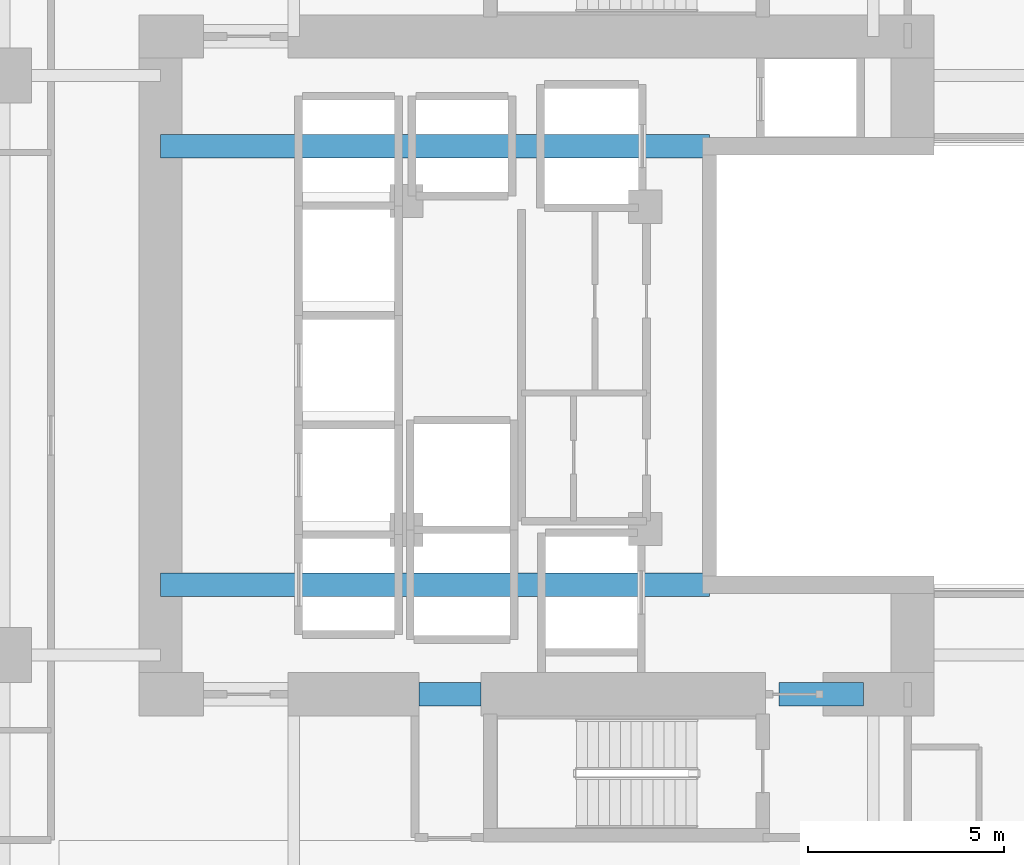
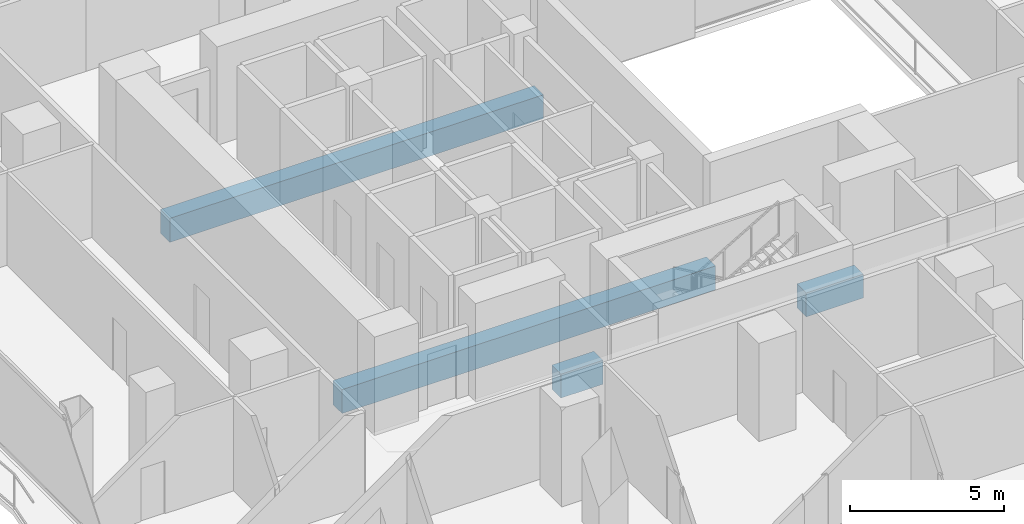
# One storey, part 7 of 27: 4 beams.
"""IFC4 building model written with IfcOpenShell, lengths in metres."""

from ifc_helpers import new_model, si_unit, direction, frame, origin, origin_2d, place, context, subcontext, project, spatial, rectangle, extrude, material, material_profile, profile_set, type_object, element, save


model = new_model("IFC4")

# Units and contexts
model_context = context("Model", 3, precision=1e-05, world=origin(), true_north=direction((0.0, 1.0)))
body_context = subcontext(model_context, "Body", "Model", "MODEL_VIEW")
ifc_project = project(units=[si_unit("LENGTHUNIT", "METRE"), si_unit("AREAUNIT", "SQUARE_METRE"), si_unit("VOLUMEUNIT", "CUBIC_METRE"), si_unit("PLANEANGLEUNIT", "RADIAN"), si_unit("MASSUNIT", "GRAM", prefix="KILO")], contexts=[model_context])

# Site, building, storey
site_placement = place(None, origin())
site = spatial("IfcSite", under=ifc_project, at=site_placement, CompositionType="ELEMENT")
building_placement = place(site_placement, origin())
building = spatial("IfcBuilding", under=site, at=building_placement, Name="Khorvyn Point Tower", CompositionType="ELEMENT")
storey_placement = place(building_placement, frame((0.0, 0.0, 46.199951171875)))
storey = spatial("IfcBuildingStorey", under=building, at=storey_placement, Name="L12", CompositionType="ELEMENT", Elevation=46.199951171875)

# Beams
ifc_material = material(Name="Concrete C50/60", Category="concrete")
ifc_material_profile = material_profile(ifc_material, rectangle(XDim=0.60009765625, YDim=0.949951171875, at=origin_2d()))
ifc_profile_set = profile_set([ifc_material_profile], Name="Concrete C50/60 RC600x950")
beam_type = type_object("IfcBeamType", Name="Concrete C50/60 Beam RC600x950", PredefinedType="BEAM", material=ifc_profile_set)
for number, where, z_axis, x_axis, name in (
    (1, (-10.800048828125, -5.60009765625, -0.695068359375), (1.0, 0.0, 0.0), (0.0, 1.0, 0.0), "L12 Core Internal Tie Girder S"),
    (2, (-10.800048828125, 5.60009765625, -0.695068359375), (1.0, 0.0, 0.0), (0.0, 1.0, 0.0), "L12 Core Internal Tie Girder N"),
):
    element("IfcBeam", number, at=place(storey_placement, frame(where, z_axis=z_axis, x_axis=x_axis)), inside=storey, type_object=beam_type, Name=name, PredefinedType="BEAM", context=body_context, shape_type="SweptSolid", body=[
        extrude(rectangle(XDim=0.60009765625, YDim=0.949951171875, at=origin_2d()), origin(), (0.0, 0.0, 1.0), 14.02001953125),
    ])
beam_1_placement = place(storey_placement, frame((-4.199951171875, -8.39990234375, -0.695068359375), z_axis=(1.0, 0.0, 0.0), x_axis=(0.0, 1.0, 0.0)))
element("IfcBeam", 3, at=beam_1_placement, inside=storey, type_object=beam_type, Name="L12 Core Shuttle Portal Coupling Beam", PredefinedType="BEAM", context=body_context, shape_type="SweptSolid", body=[
    extrude(rectangle(XDim=0.60009765625, YDim=0.949951171875, at=origin_2d()), origin(), (0.0, 0.0, 1.0), 1.579833984375),
])
beam_2_placement = place(storey_placement, frame((5.0, -8.39990234375, -0.695068359375), z_axis=(1.0, 0.0, 0.0), x_axis=(0.0, 1.0, 0.0)))
element("IfcBeam", 4, at=beam_2_placement, inside=storey, type_object=beam_type, Name="L12 Core Southeast Portal Coupling Beam", PredefinedType="BEAM", context=body_context, shape_type="SweptSolid", body=[
    extrude(rectangle(XDim=0.60009765625, YDim=0.949951171875, at=origin_2d()), origin(), (0.0, 0.0, 1.0), 2.14990234375),
])

save(model, "model.ifc")
